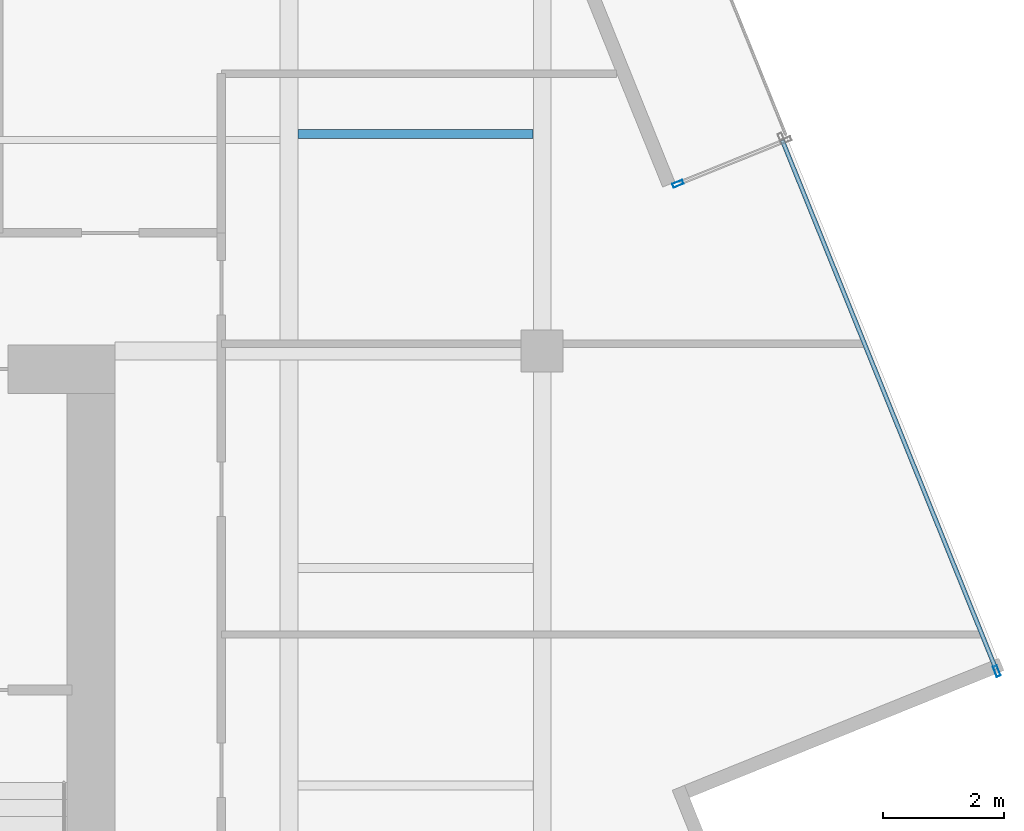
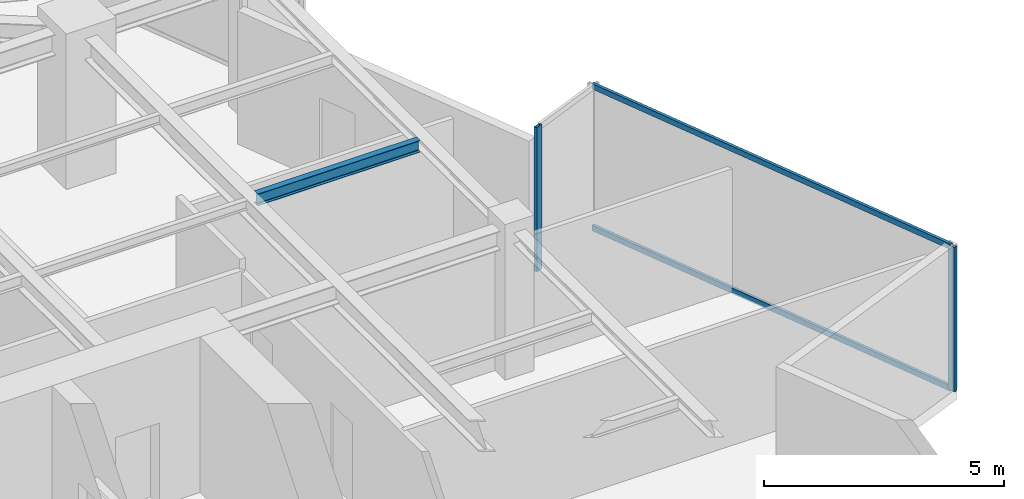
# One storey, part 11 of 21: 4 members, 1 beam, 2 elements without a shape of their own.
"""IFC4 building model written with IfcOpenShell, lengths in metres."""

from ifc_helpers import new_model, si_unit, direction, frame, origin, origin_2d, place, context, subcontext, project, spatial, hollow_rectangle, i_section, extrude, source, transform, mapped, material, material_profile, profile_set, type_object, type_shapes, element, aggregate, save


model = new_model("IFC4")

# Units and contexts
model_context = context("Model", 3, precision=1e-05, world=origin(), true_north=direction((0.0, 1.0)))
body_context = subcontext(model_context, "Body", "Model", "MODEL_VIEW")
ifc_project = project(units=[si_unit("LENGTHUNIT", "METRE"), si_unit("AREAUNIT", "SQUARE_METRE"), si_unit("VOLUMEUNIT", "CUBIC_METRE"), si_unit("PLANEANGLEUNIT", "RADIAN"), si_unit("MASSUNIT", "GRAM", prefix="KILO")], contexts=[model_context])

# Site, building, storey
site_placement = place(None, origin())
site = spatial("IfcSite", under=ifc_project, at=site_placement, CompositionType="ELEMENT")
building_placement = place(site_placement, origin())
building = spatial("IfcBuilding", under=site, at=building_placement, Name="Krantzveldt Concourse Tower", CompositionType="ELEMENT")
storey_placement = place(building_placement, frame((0.0, 0.0, 327.699951171875)))
storey = spatial("IfcBuildingStorey", under=building, at=storey_placement, Name="L80", CompositionType="ELEMENT", Elevation=327.699951171875)

# Beam
ifc_material_1 = material(Name="Steel S355JR", Category="steel")
ifc_material_profile_1 = material_profile(ifc_material_1, i_section(OverallWidth=0.14990234375, OverallDepth=0.300048828125, WebThickness=0.007080078125, FlangeThickness=0.0107421875, FilletRadius=0.014892578125, at=origin_2d()), Name="Steel S355JR", Category="steel")
ifc_profile_set_1 = profile_set([ifc_material_profile_1], Name="Steel S355JR - IPE 300")
beam_type = type_object("IfcBeamType", Name="BM-J-IPE300", PredefinedType="JOIST", material=ifc_profile_set_1)
shared_shape_1 = source(origin(), body_context, "Body", "SweptSolid", [
    extrude(i_section(OverallWidth=0.14990234375, OverallDepth=0.300048828125, WebThickness=0.007080078125, FlangeThickness=0.0107421875, FilletRadius=0.014892578125, at=origin_2d()), origin(), (0.0, 0.0, 1.0), 3.900146484375),
])
type_shapes(beam_type, [shared_shape_1])
beam_placement = place(storey_placement, frame((46.949951171875, 30.300048828125, 3.52001953125), z_axis=(1.0, 0.0, 0.0), x_axis=(0.0, 1.0, 0.0)))
element("IfcBeam", 1, at=beam_placement, inside=storey, type_object=beam_type, Name="L80 Secondary Floor Joist JE-3", PredefinedType="JOIST", context=body_context, shape_type="MappedRepresentation", body=[
    mapped(shared_shape_1, transform((0.0, 0.0, 0.0), x_axis=(1.0, 0.0, 0.0), y_axis=(0.0, 1.0, 0.0), z_axis=(0.0, 0.0, 1.0), scale=1.0)),
])

# Curtain wall, member
ifc_material_2 = material(Name="Anodised aluminium 6063-T6", Category="aluminium")
curtain_wall_type_1 = type_object("IfcCurtainWallType", Name="CW4", PredefinedType="USERDEFINED", material=ifc_material_2)
curtain_wall_1_placement = place(storey_placement, origin())
curtain_wall_1 = element("IfcCurtainWall", 2, at=curtain_wall_1_placement, inside=storey, type_object=curtain_wall_type_1, Name="CW-L80-F10", ObjectType="UNITISED CURTAIN WALL", PredefinedType="USERDEFINED")
ifc_material_profile_2 = material_profile(ifc_material_2, hollow_rectangle(XDim=0.070068359375, YDim=0.179931640625, WallThickness=0.0048828125, at=origin_2d()), Name="Anodised aluminium 6063-T6", Category="aluminium")
ifc_profile_set_2 = profile_set([ifc_material_profile_2], Name="Anodised aluminium 6063-T6 - ALU-MULL 180x70x5")
member_type_1 = type_object("IfcMemberType", Name="CW-MUL-180", PredefinedType="MULLION", material=ifc_profile_set_2)
shared_shape_2 = source(origin(), body_context, "Body", "SweptSolid", [
    extrude(hollow_rectangle(XDim=0.070068359375, YDim=0.179931640625, WallThickness=0.0048828125, at=origin_2d()), origin(), (0.0, 0.0, 1.0), 3.670166015625),
])
type_shapes(member_type_1, [shared_shape_2])
member_1_placement = place(storey_placement, frame((58.53955078125, 21.39208984375, 0.0), z_axis=(0.0, 0.0, 1.0), x_axis=(-0.927184046879, -0.374606117426, 0.0)))
member_1 = element("IfcMember", 3, at=member_1_placement, type_object=member_type_1, Name="CW-Z56 mullion 1", PredefinedType="MULLION", context=body_context, shape_type="MappedRepresentation", body=[
    mapped(shared_shape_2, transform((0.0, 0.0, 0.0), x_axis=(1.0, 0.0, 0.0), y_axis=(0.0, 1.0, 0.0), z_axis=(0.0, 0.0, 1.0), scale=1.0)),
])

curtain_wall_type_2 = type_object("IfcCurtainWallType", Name="CW6", PredefinedType="USERDEFINED", material=ifc_material_2)
curtain_wall_2_placement = place(storey_placement, origin())
curtain_wall_2 = element("IfcCurtainWall", 4, at=curtain_wall_2_placement, inside=storey, type_object=curtain_wall_type_2, Name="CW-L80-TR11", ObjectType="UNITISED CURTAIN WALL", PredefinedType="USERDEFINED")
member_2_placement = place(storey_placement, frame((53.251708984375, 29.474609375, 0.0), z_axis=(0.0, 0.0, 1.0), x_axis=(0.374609124101, -0.9271828321, 0.0)))
member_2 = element("IfcMember", 5, at=member_2_placement, type_object=member_type_1, Name="CW-TERR mullion 2", PredefinedType="MULLION", context=body_context, shape_type="MappedRepresentation", body=[
    mapped(shared_shape_2, transform((0.0, 0.0, 0.0), x_axis=(1.0, 0.0, 0.0), y_axis=(0.0, 1.0, 0.0), z_axis=(0.0, 0.0, 1.0), scale=1.0)),
])
aggregate(curtain_wall_2, [member_2])

# Member
ifc_material_profile_3 = material_profile(ifc_material_2, hollow_rectangle(XDim=0.070068359375, YDim=0.139892578125, WallThickness=0.0048828125, at=origin_2d()), Name="Anodised aluminium 6063-T6", Category="aluminium")
ifc_profile_set_3 = profile_set([ifc_material_profile_3], Name="Anodised aluminium 6063-T6 - ALU-TRAN 140x70x5")
member_type_2 = type_object("IfcMemberType", Name="CW-TRN-150", PredefinedType="USERDEFINED", material=ifc_profile_set_3)
shared_shape_3 = source(origin(), body_context, "Body", "SweptSolid", [
    extrude(hollow_rectangle(XDim=0.070068359375, YDim=0.139892578125, WallThickness=0.0048828125, at=origin_2d()), origin(), (0.0, 0.0, 1.0), 9.4599609375),
])
type_shapes(member_type_2, [shared_shape_3])
member_3_placement = place(storey_placement, frame((58.526611328125, 21.424560546875, 0.03515625), z_axis=(-0.374627754839, 0.927175304516, 0.0), x_axis=(-0.927175304516, -0.374627754839, 0.0)))
member_3 = element("IfcMember", 6, at=member_3_placement, type_object=member_type_2, Name="CW-Z56 transom 1.1", ObjectType="TRANSOM", PredefinedType="USERDEFINED", context=body_context, shape_type="MappedRepresentation", body=[
    mapped(shared_shape_3, transform((0.0, 0.0, 0.0), x_axis=(1.0, 0.0, 0.0), y_axis=(0.0, 1.0, 0.0), z_axis=(0.0, 0.0, 1.0), scale=1.0)),
])

member_4_placement = place(storey_placement, frame((58.526611328125, 21.424560546875, 3.635009765625), z_axis=(-0.374627754839, 0.927175304516, 0.0), x_axis=(-0.927175304516, -0.374627754839, 0.0)))
member_4 = element("IfcMember", 7, at=member_4_placement, type_object=member_type_2, Name="CW-Z56 transom 1.2", ObjectType="TRANSOM", PredefinedType="USERDEFINED", context=body_context, shape_type="MappedRepresentation", body=[
    mapped(shared_shape_3, transform((0.0, 0.0, 0.0), x_axis=(1.0, 0.0, 0.0), y_axis=(0.0, 1.0, 0.0), z_axis=(0.0, 0.0, 1.0), scale=1.0)),
])

aggregate(curtain_wall_1, [member_1, member_3, member_4])

save(model, "model.ifc")
